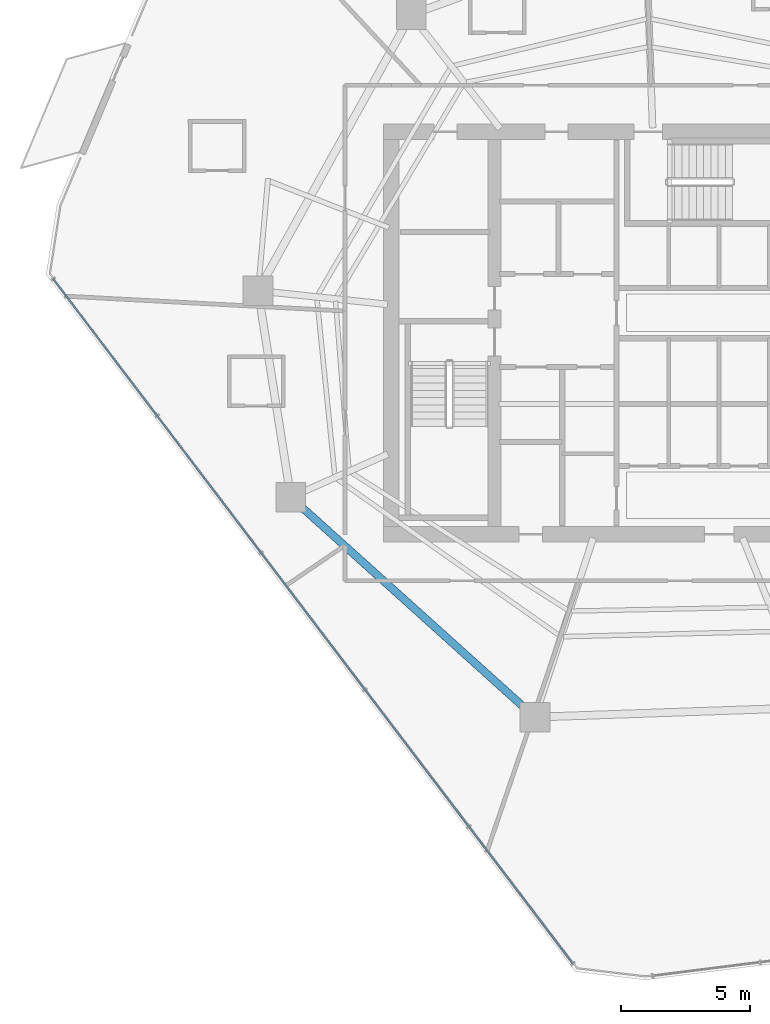
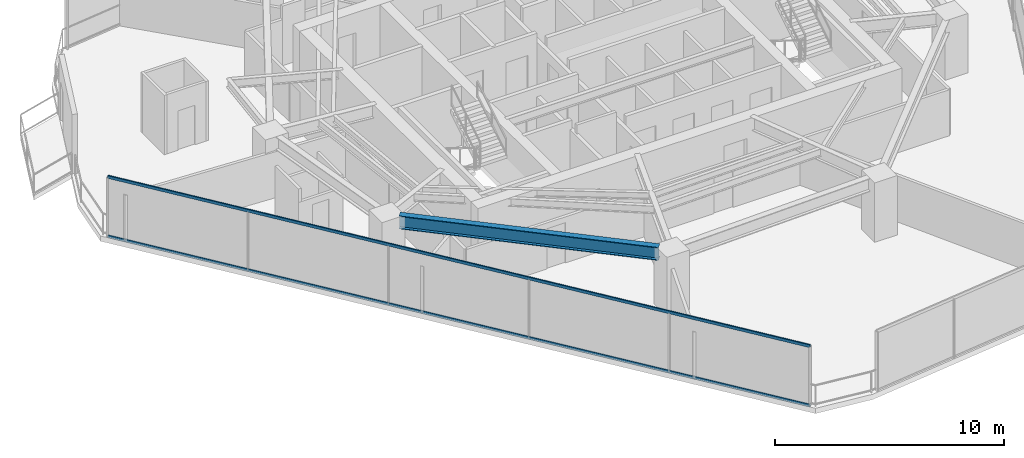
# One storey, part 3 of 30: 2 members, 1 beam, 1 element without a shape of its own.
"""IFC4 building model written with IfcOpenShell, lengths in metres."""

from ifc_helpers import new_model, si_unit, direction, frame, origin, origin_2d, place, context, subcontext, project, spatial, hollow_rectangle, i_section, extrude, material, layer, layer_set, material_profile, profile_set, type_object, element, aggregate, save


model = new_model("IFC4")

# Units and contexts
model_context = context("Model", 3, precision=1e-05, world=origin(), true_north=direction((0.0, 1.0)))
body_context = subcontext(model_context, "Body", "Model", "MODEL_VIEW")
ifc_project = project(units=[si_unit("LENGTHUNIT", "METRE"), si_unit("AREAUNIT", "SQUARE_METRE"), si_unit("VOLUMEUNIT", "CUBIC_METRE"), si_unit("PLANEANGLEUNIT", "RADIAN"), si_unit("MASSUNIT", "GRAM", prefix="KILO")], contexts=[model_context])

# Site, building, storey
site_placement = place(None, origin())
site = spatial("IfcSite", under=ifc_project, at=site_placement, CompositionType="ELEMENT")
building_placement = place(site_placement, origin())
building = spatial("IfcBuilding", under=site, at=building_placement, Name="Qarnah Convention Tower", CompositionType="ELEMENT")
storey_placement = place(building_placement, frame((0.0, 0.0, 93.60009765625)))
storey = spatial("IfcBuildingStorey", under=building, at=storey_placement, Name="L24", CompositionType="ELEMENT", Elevation=93.60009765625)

# Beam
ifc_material_1 = material(Name="Structural steel S355JR", Category="steel")
ifc_material_profile_1 = material_profile(ifc_material_1, i_section(OverallWidth=0.300048828125, OverallDepth=0.699951171875, WebThickness=0.01708984375, FlangeThickness=0.031982421875, at=origin_2d()), Name="HEB700")
ifc_profile_set_1 = profile_set([ifc_material_profile_1], Name="Structural steel S355JR")
beam_type = type_object("IfcBeamType", Name="BM-RING-HEB700", PredefinedType="BEAM", material=ifc_profile_set_1)
beam_placement = place(storey_placement, frame((23.322998046875, 19.656982421875, 2.81982421875), z_axis=(0.743124603424, -0.669153064541, 0.0), x_axis=(0.669153064541, 0.743124603424, 0.0)))
element("IfcBeam", 1, at=beam_placement, inside=storey, type_object=beam_type, Name="L24 beam BM-L24-SPN-06", PredefinedType="BEAM", context=body_context, shape_type="SweptSolid", body=[
    extrude(i_section(OverallWidth=0.300048828125, OverallDepth=0.699951171875, WebThickness=0.01708984375, FlangeThickness=0.031982421875, at=origin_2d()), origin(), (0.0, 0.0, 1.0), 11.60107421875),
])

# Curtain wall, members
ifc_material_2 = material(Name="Tempered Low-E dark glass", Category="glass")
ifc_layer = layer(ifc_material_2, 0.169921875)
ifc_layer_set = layer_set([ifc_layer], Name="Tempered Low-E dark glass")
curtain_wall_type = type_object("IfcCurtainWallType", Name="CWS-02", PredefinedType="NOTDEFINED", material=ifc_layer_set)
curtain_wall_placement = place(storey_placement, origin())
curtain_wall = element("IfcCurtainWall", 2, at=curtain_wall_placement, inside=storey, type_object=curtain_wall_type, Name="L24 unitised curtain wall CW-L24-F2", PredefinedType="NOTDEFINED")
ifc_material_3 = material(Name="Black anodised aluminium", Category="aluminium")
ifc_material_profile_2 = material_profile(ifc_material_3, hollow_rectangle(XDim=0.06494140625, YDim=0.14990234375, WallThickness=0.00390625, at=origin_2d()), Name="TRN-65X150")
ifc_profile_set_2 = profile_set([ifc_material_profile_2], Name="Black anodised aluminium")
member_type = type_object("IfcMemberType", Name="TRN-T2", PredefinedType="USERDEFINED", material=ifc_profile_set_2)
member_1_placement = place(storey_placement, frame((33.8369140625, 1.968017578125, 0.0), z_axis=(-0.604605131972, 0.796525350753, 0.0), x_axis=(-0.796525350753, -0.604605131972, 0.0)))
member_1 = element("IfcMember", 3, at=member_1_placement, type_object=member_type, Name="CW-L24-F2 transom 1", ObjectType="TRANSOM", PredefinedType="USERDEFINED", context=body_context, shape_type="SweptSolid", body=[
    extrude(hollow_rectangle(XDim=0.06494140625, YDim=0.14990234375, WallThickness=0.00390625, at=origin_2d()), origin(), (0.0, 0.0, 1.0), 33.305908203125),
])
member_2_placement = place(storey_placement, frame((33.8369140625, 1.968017578125, 3.169921875), z_axis=(-0.604605131972, 0.796525350753, 0.0), x_axis=(-0.796525350753, -0.604605131972, 0.0)))
member_2 = element("IfcMember", 4, at=member_2_placement, type_object=member_type, Name="CW-L24-F2 transom 2", ObjectType="TRANSOM", PredefinedType="USERDEFINED", context=body_context, shape_type="SweptSolid", body=[
    extrude(hollow_rectangle(XDim=0.06494140625, YDim=0.14990234375, WallThickness=0.00390625, at=origin_2d()), origin(), (0.0, 0.0, 1.0), 33.305908203125),
])
aggregate(curtain_wall, [member_1, member_2])

save(model, "model.ifc")
